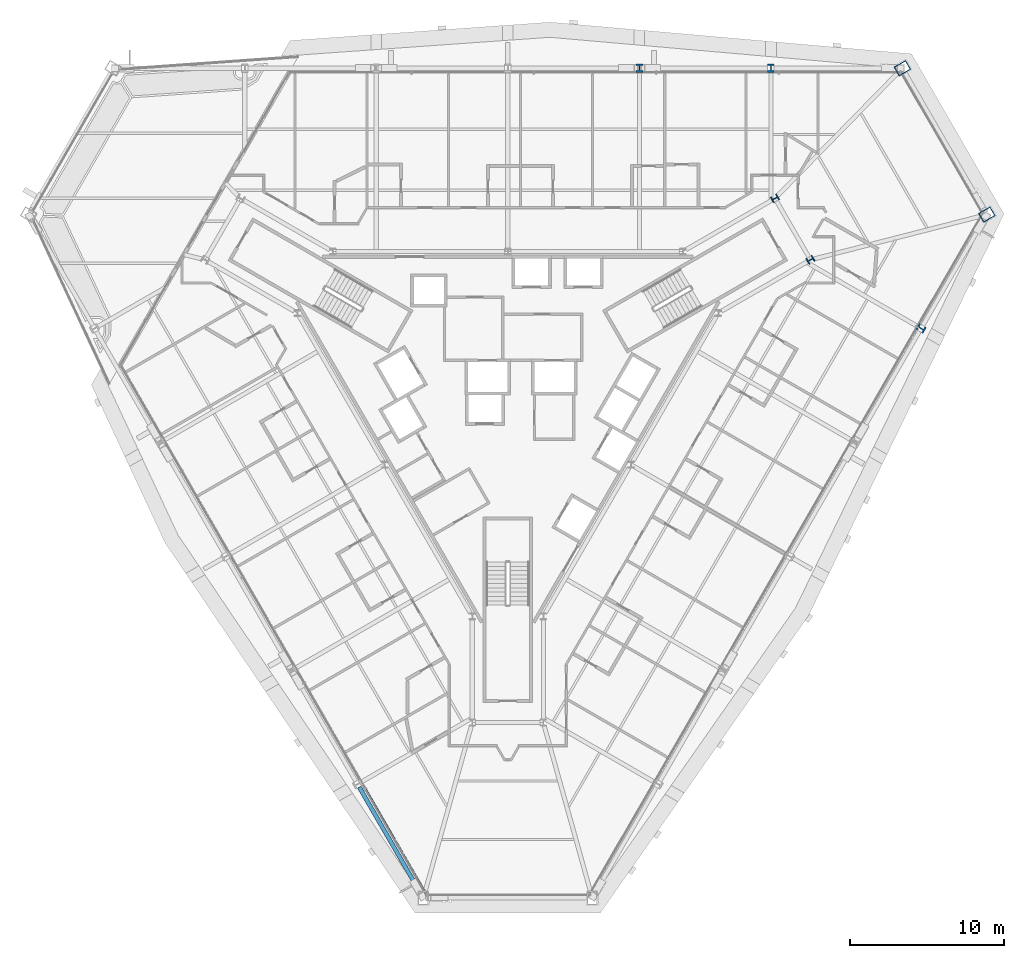
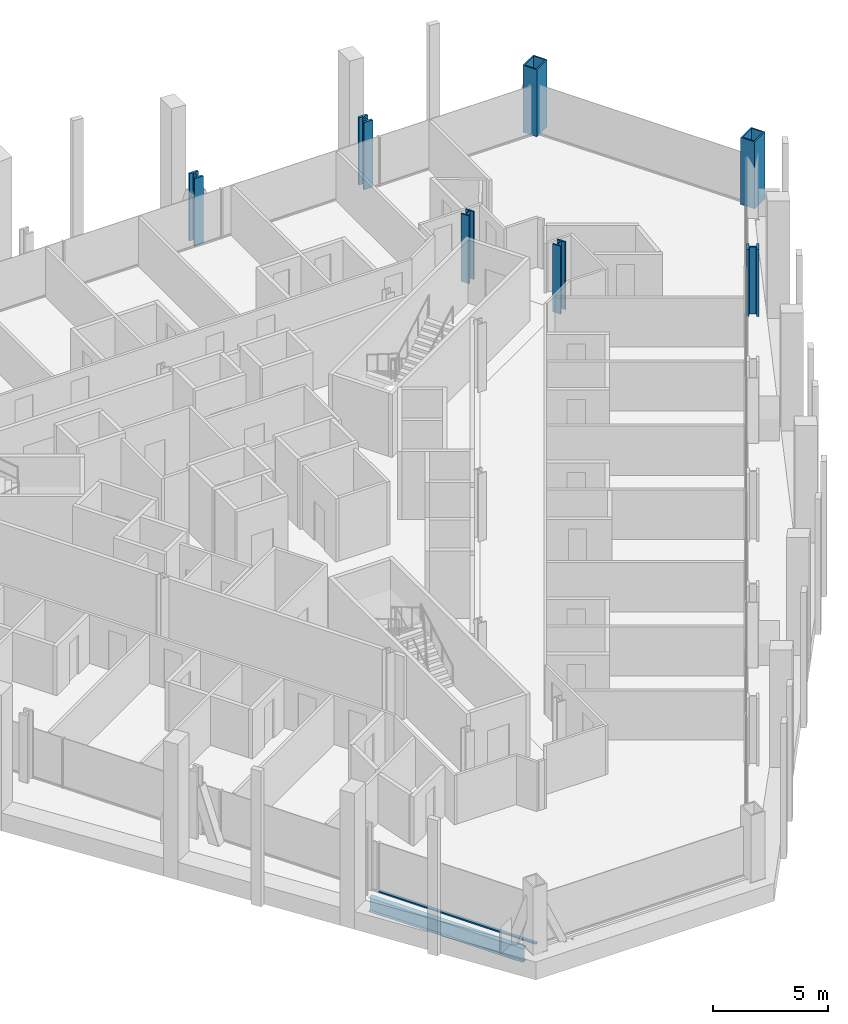
# One storey, part 2 of 19: 7 columns, 1 beam, 1 member, 1 element without a shape of its own.
"""IFC4 building model written with IfcOpenShell, lengths in metres."""

from ifc_helpers import new_model, si_unit, direction, frame, origin, origin_2d, place, context, subcontext, project, spatial, rectangle, hollow_rectangle, i_section, extrude, material, material_profile, profile_set, type_object, element, aggregate, save


model = new_model("IFC4")

# Units and contexts
model_context = context("Model", 3, precision=1e-05, world=origin(), true_north=direction((0.0, 1.0)))
body_context = subcontext(model_context, "Body", "Model", "MODEL_VIEW")
ifc_project = project(units=[si_unit("LENGTHUNIT", "METRE"), si_unit("AREAUNIT", "SQUARE_METRE"), si_unit("VOLUMEUNIT", "CUBIC_METRE"), si_unit("PLANEANGLEUNIT", "RADIAN"), si_unit("MASSUNIT", "GRAM", prefix="KILO")], contexts=[model_context])

# Site, building, storey
site_placement = place(None, origin())
site = spatial("IfcSite", under=ifc_project, at=site_placement, CompositionType="ELEMENT")
building_placement = place(site_placement, origin())
building = spatial("IfcBuilding", under=site, at=building_placement, Name="Verrane Prism Tower", CompositionType="ELEMENT")
storey_placement = place(building_placement, frame((0.0, 0.0, 58.39990234375)))
storey = spatial("IfcBuildingStorey", under=building, at=storey_placement, Name="L12", CompositionType="ELEMENT", Elevation=58.39990234375)

# Columns
ifc_material_1 = material(Name="Steel A992", Category="steel")
ifc_material_profile_1 = material_profile(ifc_material_1, i_section(OverallWidth=0.419189453125, OverallDepth=0.45458984375, WebThickness=0.042236328125, FlangeThickness=0.067626953125, FilletRadius=0.01513671875, at=origin_2d()), Name="W14x370")
ifc_profile_set_1 = profile_set([ifc_material_profile_1], Name="Steel A992")
column_type_1 = type_object("IfcColumnType", Name="Core corner column W14x370", PredefinedType="COLUMN", material=ifc_profile_set_1)
for number, where, z_axis, x_axis, name in (
    (1, (19.60009765625, 8.659912109375, 0.0), (0.0, 0.0, 1.0), (0.5, -0.866025403784, 0.0), "Core corner column CK-NEm L12"),
    (2, (17.300048828125, 12.639892578125, 0.0), (0.0, 0.0, 1.0), (0.5, -0.866025403784, 0.0), "Core corner column CK-NEp L12"),
):
    element("IfcColumn", number, at=place(storey_placement, frame(where, z_axis=z_axis, x_axis=x_axis)), inside=storey, type_object=column_type_1, Name=name, PredefinedType="COLUMN", context=body_context, shape_type="SweptSolid", body=[
        extrude(i_section(OverallWidth=0.419189453125, OverallDepth=0.45458984375, WebThickness=0.042236328125, FlangeThickness=0.067626953125, FilletRadius=0.01513671875, at=origin_2d()), origin(), (0.0, 0.0, 1.0), 3.60009765625),
    ])
ifc_material_2 = material(Name="Steel A572 Grade 50", Category="steel")
ifc_material_profile_2 = material_profile(ifc_material_2, hollow_rectangle(XDim=0.699951171875, YDim=0.89990234375, WallThickness=0.06494140625, at=origin_2d()), Name="BOX 900x700x65")
ifc_profile_set_2 = profile_set([ifc_material_profile_2], Name="Steel A572 Grade 50")
column_type_2 = type_object("IfcColumnType", Name="Megacolumn BOX 900x700x65", PredefinedType="COLUMN", material=ifc_profile_set_2)
for number, where, z_axis, x_axis, name in (
    (3, (25.550048828125, 21.070068359375, 0.0), (0.0, 0.0, 1.0), (0.5, -0.866025403784, 0.0), "Megacolumn MC-NE.b L12"),
    (4, (31.02001953125, 11.590087890625, 0.0), (0.0, 0.0, 1.0), (0.5, -0.866025403784, 0.0), "Megacolumn MC-NE.a L12"),
):
    element("IfcColumn", number, at=place(storey_placement, frame(where, z_axis=z_axis, x_axis=x_axis)), inside=storey, type_object=column_type_2, Name=name, PredefinedType="COLUMN", context=body_context, shape_type="SweptSolid", body=[
        extrude(hollow_rectangle(XDim=0.699951171875, YDim=0.89990234375, WallThickness=0.06494140625, at=origin_2d()), origin(), (0.0, 0.0, 1.0), 3.56005859375),
    ])
ifc_material_3 = material(Name="Steel A992", Category="steel")
ifc_material_profile_3 = material_profile(ifc_material_3, i_section(OverallWidth=0.44189453125, OverallDepth=0.53076171875, WebThickness=0.06591796875, FlangeThickness=0.105712890625, FilletRadius=0.01513671875, at=origin_2d()), Name="W14x605")
ifc_profile_set_3 = profile_set([ifc_material_profile_3], Name="Steel A992")
column_type_3 = type_object("IfcColumnType", Name="Perimeter column W14x605", PredefinedType="COLUMN", material=ifc_profile_set_3)
for number, where, z_axis, x_axis, name in (
    (5, (17.030029296875, 21.070068359375, 0.0), (0.0, 0.0, 1.0), (1.0, 0.0, 0.0), "Perimeter column PC-N1 L12"),
    (6, (8.52001953125, 21.070068359375, 0.0), (0.0, 0.0, 1.0), (1.0, 0.0, 0.0), "Perimeter column PC-N2 L12"),
    (7, (26.760009765625, 4.219970703125, 0.0), (0.0, 0.0, 1.0), (-0.5, -0.866025403784, 0.0), "Perimeter column PC-SE5 L12"),
):
    element("IfcColumn", number, at=place(storey_placement, frame(where, z_axis=z_axis, x_axis=x_axis)), inside=storey, type_object=column_type_3, Name=name, PredefinedType="COLUMN", context=body_context, shape_type="SweptSolid", body=[
        extrude(i_section(OverallWidth=0.44189453125, OverallDepth=0.53076171875, WebThickness=0.06591796875, FlangeThickness=0.105712890625, FilletRadius=0.01513671875, at=origin_2d()), origin(), (0.0, 0.0, 1.0), 3.5751953125),
    ])

# Beam
ifc_material_4 = material(Name="Steel A992", Category="steel")
ifc_material_profile_4 = material_profile(ifc_material_4, i_section(OverallWidth=0.2666015625, OverallDepth=0.7568359375, WebThickness=0.013916015625, FlangeThickness=0.019287109375, FilletRadius=0.0166015625, at=origin_2d()), Name="W30x108")
ifc_profile_set_4 = profile_set([ifc_material_profile_4], Name="Steel A992")
beam_type = type_object("IfcBeamType", Name="Spandrel beam W30x108", PredefinedType="SPANDREL", material=ifc_profile_set_4)
beam_placement = place(storey_placement, frame((-9.619384765625, -25.481201171875, -0.538330078125), z_axis=(0.500439305817, -0.865771621846, 0.0), x_axis=(0.865771621846, 0.500439305817, 0.0)))
element("IfcBeam", 8, at=beam_placement, inside=storey, type_object=beam_type, Name="Spandrel beam L12", PredefinedType="SPANDREL", context=body_context, shape_type="SweptSolid", body=[
    extrude(i_section(OverallWidth=0.2666015625, OverallDepth=0.7568359375, WebThickness=0.013916015625, FlangeThickness=0.019287109375, FilletRadius=0.0166015625, at=origin_2d()), origin(), (0.0, 0.0, 1.0), 7.77197265625),
])

# Curtain wall, member
ifc_material_5 = material(Name="Aluminium framed insulated glazing", Category="aluminium")
curtain_wall_type = type_object("IfcCurtainWallType", Name="Curtain wall CW-A 8400 module", PredefinedType="NOTDEFINED", material=ifc_material_5)
curtain_wall_placement = place(storey_placement, origin())
curtain_wall = element("IfcCurtainWall", 9, at=curtain_wall_placement, inside=storey, type_object=curtain_wall_type, Name="Glazed curtain wall south-west face L12", PredefinedType="NOTDEFINED")
ifc_material_6 = material(Name="Aluminium alloy 6063-T6", Category="aluminium")
ifc_material_profile_5 = material_profile(ifc_material_6, rectangle(XDim=0.14990234375, YDim=0.070068359375, at=origin_2d()), Name="Transom 70x150 aluminium")
ifc_profile_set_5 = profile_set([ifc_material_profile_5], Name="Aluminium alloy 6063-T6")
member_type = type_object("IfcMemberType", Name="Transom 70x150 aluminium", PredefinedType="USERDEFINED", material=ifc_profile_set_5)
member_placement = place(storey_placement, frame((-9.214111328125, -25.62255859375, 0.03515625), z_axis=(0.499998248741, -0.866026414872, 0.0), x_axis=(0.866026414872, 0.499998248741, 0.0)))
member = element("IfcMember", 10, at=member_placement, type_object=member_type, Name="CW12.4 transom 5", ObjectType="TRANSOM", PredefinedType="USERDEFINED", context=body_context, shape_type="SweptSolid", body=[
    extrude(rectangle(XDim=0.14990234375, YDim=0.070068359375, at=origin_2d()), origin(), (0.0, 0.0, 1.0), 7.892578125),
])
aggregate(curtain_wall, [member])

save(model, "model.ifc")
